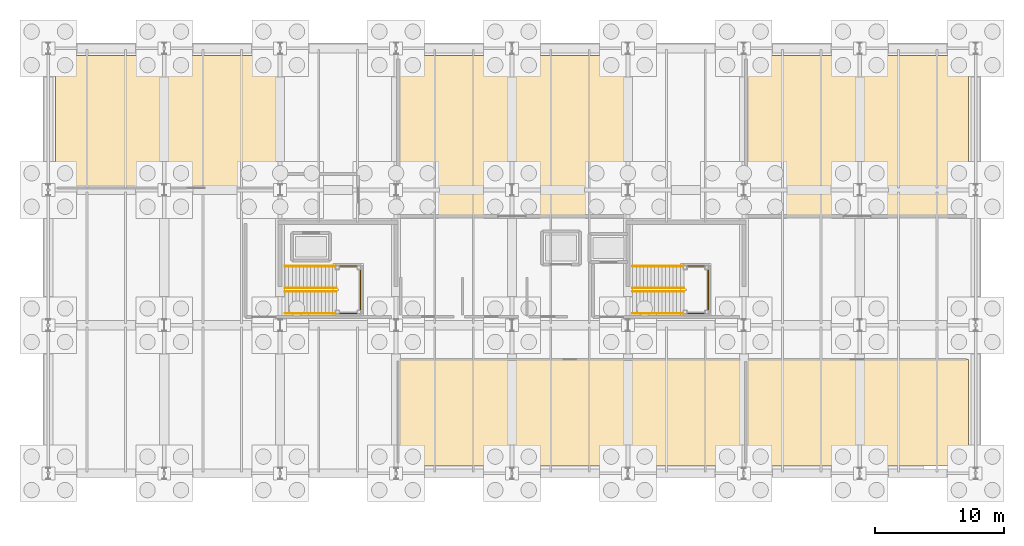
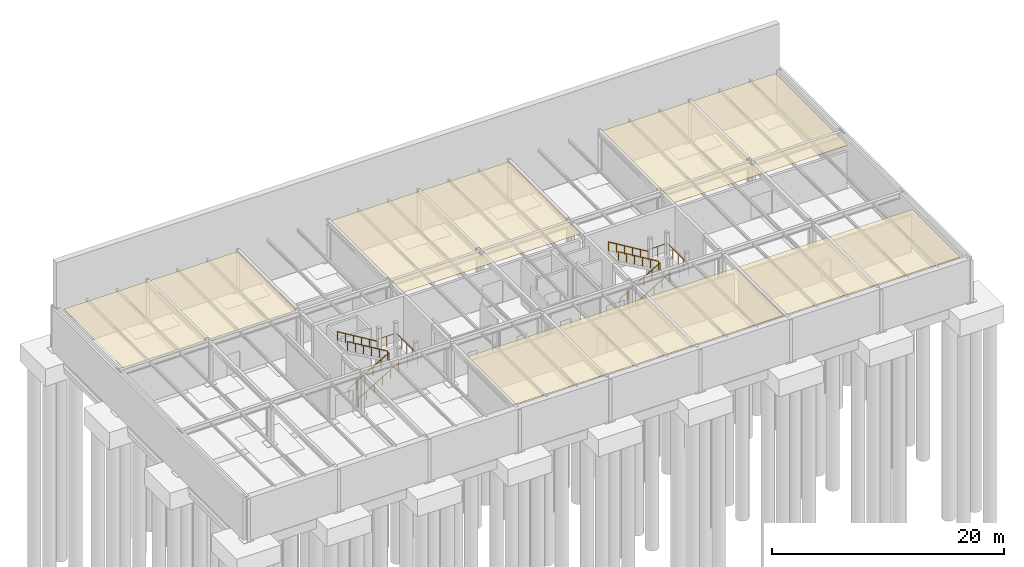
# One storey, part 18 of 19: 10 railings, 5 coverings.
"""IFC4 building model written with IfcOpenShell, lengths in metres."""

from ifc_helpers import new_model, si_unit, direction, frame, origin, origin_2d, place, context, subcontext, project, spatial, polyline, circle, outline, extrude, material, layer, layer_set, type_object, element, save


model = new_model("IFC4")

# Units and contexts
model_context = context("Model", 3, precision=1e-05, world=origin(), true_north=direction((0.0, 1.0)))
body_context = subcontext(model_context, "Body", "Model", "MODEL_VIEW")
ifc_project = project(units=[si_unit("LENGTHUNIT", "METRE"), si_unit("AREAUNIT", "SQUARE_METRE"), si_unit("VOLUMEUNIT", "CUBIC_METRE"), si_unit("PLANEANGLEUNIT", "RADIAN"), si_unit("MASSUNIT", "GRAM", prefix="KILO")], contexts=[model_context])

# Site, building, storey
site_placement = place(None, origin())
site = spatial("IfcSite", under=ifc_project, at=site_placement, CompositionType="ELEMENT")
building_placement = place(site_placement, origin())
building = spatial("IfcBuilding", under=site, at=building_placement, Name="Marlcrest Central Station", CompositionType="ELEMENT")
storey_placement = place(building_placement, frame((0.0, 0.0, -4.800048828125)))
storey = spatial("IfcBuildingStorey", under=building, at=storey_placement, Name="B1", CompositionType="ELEMENT", Elevation=-4.800048828125)

# Coverings
ifc_material_1 = material(Name="Perforated acoustic mineral-fibre ceiling")
ifc_layer = layer(ifc_material_1, 0.02490234375, Name="CV-CLG")
ifc_layer_set = layer_set([ifc_layer], Name="Perforated acoustic mineral-fibre ceiling")
covering_type = type_object("IfcCoveringType", Name="CV-CLG", PredefinedType="CEILING", material=ifc_layer_set)
covering_1_placement = place(storey_placement, frame((0.0, 0.0, 4.375)))
element("IfcCovering", 1, at=covering_1_placement, inside=storey, type_object=covering_type, Name="cov-clg-0001", PredefinedType="CEILING", context=body_context, shape_type="SweptSolid", body=[
    extrude(outline(polyline([(0.56005859375, 131.43994140625), (17.840087890625, 131.43994140625), (17.840087890625, 121.510009765625), (17.7900390625, 121.510009765625), (17.7900390625, 121.159912109375), (9.2099609375, 121.159912109375), (9.2099609375, 121.510009765625), (8.7900390625, 121.510009765625), (8.7900390625, 121.159912109375), (0.56005859375, 121.159912109375), (0.56005859375, 131.43994140625)])), origin(), (0.0, 0.0, 1.0), 0.025146484375),
])
covering_2_placement = place(storey_placement, frame((0.0, 0.0, 4.375)))
element("IfcCovering", 2, at=covering_2_placement, inside=storey, type_object=covering_type, Name="cov-clg-0002", PredefinedType="CEILING", context=body_context, shape_type="SweptSolid", body=[
    extrude(outline(polyline([(44.840087890625, 121.510009765625), (44.7900390625, 121.510009765625), (44.7900390625, 120.489990234375), (44.840087890625, 120.489990234375), (44.840087890625, 118.9599609375), (27.159912109375, 118.9599609375), (27.159912109375, 120.489990234375), (27.2099609375, 120.489990234375), (27.2099609375, 121.510009765625), (27.159912109375, 121.510009765625), (27.159912109375, 131.43994140625), (44.840087890625, 131.43994140625), (44.840087890625, 121.510009765625)]), holes=[polyline([(35.7900390625, 121.510009765625), (35.7900390625, 120.489990234375), (36.2099609375, 120.489990234375), (36.2099609375, 121.510009765625), (35.7900390625, 121.510009765625)])]), origin(), (0.0, 0.0, 1.0), 0.025146484375),
])
covering_3_placement = place(storey_placement, frame((0.0, 0.0, 4.375)))
element("IfcCovering", 3, at=covering_3_placement, inside=storey, type_object=covering_type, Name="cov-clg-0003", PredefinedType="CEILING", context=body_context, shape_type="SweptSolid", body=[
    extrude(outline(polyline([(71.43994140625, 131.43994140625), (71.43994140625, 118.9599609375), (54.159912109375, 118.9599609375), (54.159912109375, 120.489990234375), (54.2099609375, 120.489990234375), (54.2099609375, 121.510009765625), (54.159912109375, 121.510009765625), (54.159912109375, 131.43994140625), (71.43994140625, 131.43994140625)]), holes=[polyline([(63.2099609375, 121.510009765625), (62.7900390625, 121.510009765625), (62.7900390625, 120.489990234375), (63.2099609375, 120.489990234375), (63.2099609375, 121.510009765625)])]), origin(), (0.0, 0.0, 1.0), 0.025146484375),
])
covering_4_placement = place(storey_placement, frame((0.0, 0.0, 4.375)))
element("IfcCovering", 4, at=covering_4_placement, inside=storey, type_object=covering_type, Name="cov-clg-0004", PredefinedType="CEILING", context=body_context, shape_type="SweptSolid", body=[
    extrude(outline(polyline([(53.840087890625, 99.56005859375), (53.840087890625, 107.840087890625), (27.159912109375, 107.840087890625), (27.159912109375, 99.56005859375), (53.840087890625, 99.56005859375)])), origin(), (0.0, 0.0, 1.0), 0.025146484375),
])
covering_5_placement = place(storey_placement, frame((0.0, 0.0, 4.375)))
element("IfcCovering", 5, at=covering_5_placement, inside=storey, type_object=covering_type, Name="cov-clg-0005", PredefinedType="CEILING", context=body_context, shape_type="SweptSolid", body=[
    extrude(outline(polyline([(71.43994140625, 99.56005859375), (71.43994140625, 107.840087890625), (54.159912109375, 107.840087890625), (54.159912109375, 99.56005859375), (71.43994140625, 99.56005859375)])), origin(), (0.0, 0.0, 1.0), 0.025146484375),
])

# Railings
ifc_material_2 = material(Name="Stainless steel and laminated glass concourse balustrade", Category="steel")
railing_type_1 = type_object("IfcRailingType", Name="GR-02", PredefinedType="BALUSTRADE", material=ifc_material_2)
for number, where, name in (
    (6, (22.320068359375, 111.409912109375, 2.400146484375), "hr-B1-00230"),
    (7, (49.320068359375, 111.409912109375, 2.400146484375), "hr-B1-00235"),
):
    element("IfcRailing", number, at=place(storey_placement, frame(where)), inside=storey, type_object=railing_type_1, Name=name, PredefinedType="BALUSTRADE", context=body_context, shape_type="SweptSolid", body=[
        extrude(circle(Radius=0.02392578125, at=origin_2d()), frame((0.0, 0.0, 1.09619140625), z_axis=(1.0, 0.0, 0.0), x_axis=(0.0, 1.0, 0.0)), (0.0, 0.0, 1.0), 1.919921875),
        extrude(circle(Radius=0.02392578125, at=origin_2d()), frame((1.919921875, 0.0, 1.09619140625), z_axis=(0.0, 1.0, 0.0), x_axis=(-1.0, 0.0, 0.0)), (0.0, 0.0, 1.0), 3.68017578125),
        extrude(circle(Radius=0.02392578125, at=origin_2d()), frame((1.919921875, 3.68017578125, 1.09619140625), z_axis=(-1.0, 0.0, 0.0), x_axis=(0.0, -1.0, 0.0)), (0.0, 0.0, 1.0), 1.919921875),
        extrude(circle(Radius=0.02099609375, at=origin_2d()), origin(), (0.0, 0.0, 1.0), 1.072021484375),
        extrude(circle(Radius=0.02099609375, at=origin_2d()), frame((0.9599609375, 0.0, 0.0)), (0.0, 0.0, 1.0), 1.072021484375),
        extrude(circle(Radius=0.02099609375, at=origin_2d()), frame((1.919921875, 0.0, 0.0)), (0.0, 0.0, 1.0), 1.072021484375),
        extrude(circle(Radius=0.02099609375, at=origin_2d()), frame((1.919921875, 0.919921875, 0.0)), (0.0, 0.0, 1.0), 1.072021484375),
        extrude(circle(Radius=0.02099609375, at=origin_2d()), frame((1.919921875, 1.840087890625, 0.0)), (0.0, 0.0, 1.0), 1.072021484375),
        extrude(circle(Radius=0.02099609375, at=origin_2d()), frame((1.919921875, 2.76025390625, 0.0)), (0.0, 0.0, 1.0), 1.072021484375),
        extrude(circle(Radius=0.02099609375, at=origin_2d()), frame((1.919921875, 3.68017578125, 0.0)), (0.0, 0.0, 1.0), 1.072021484375),
        extrude(circle(Radius=0.02099609375, at=origin_2d()), frame((0.9599609375, 3.68017578125, 0.0)), (0.0, 0.0, 1.0), 1.072021484375),
        extrude(circle(Radius=0.02099609375, at=origin_2d()), frame((0.0, 3.68017578125, 0.0)), (0.0, 0.0, 1.0), 1.072021484375),
    ])
ifc_material_3 = material(Name="Brushed stainless steel handrail", Category="steel")
railing_type_2 = type_object("IfcRailingType", Name="HR-01", PredefinedType="HANDRAIL", material=ifc_material_3)
railing_1_placement = place(storey_placement, frame((18.3701171875, 111.419921875, 0.0)))
element("IfcRailing", 8, at=railing_1_placement, inside=storey, type_object=railing_type_2, Name="hr-B1-00226", PredefinedType="HANDRAIL", context=body_context, shape_type="SweptSolid", body=[
    extrude(circle(Radius=0.02392578125, at=origin_2d()), frame((0.0, 0.0, 0.89599609375), z_axis=(0.856909445827, 0.0, 0.515466974357), x_axis=(0.0, 1.0, 0.0)), (0.0, 0.0, 1.0), 4.65625),
    extrude(circle(Radius=0.02099609375, at=origin_2d()), origin(), (0.0, 0.0, 1.0), 0.871826171875),
    extrude(circle(Radius=0.02099609375, at=origin_2d()), frame((0.798095703125, 0.0, 0.47998046875)), (0.0, 0.0, 1.0), 0.871826171875),
    extrude(circle(Radius=0.02099609375, at=origin_2d()), frame((1.595947265625, 0.0, 0.9599609375)), (0.0, 0.0, 1.0), 0.871826171875),
    extrude(circle(Radius=0.02099609375, at=origin_2d()), frame((2.39404296875, 0.0, 1.440185546875)), (0.0, 0.0, 1.0), 0.871826171875),
    extrude(circle(Radius=0.02099609375, at=origin_2d()), frame((3.19189453125, 0.0, 1.920166015625)), (0.0, 0.0, 1.0), 0.871826171875),
    extrude(circle(Radius=0.02099609375, at=origin_2d()), frame((3.989990234375, 0.0, 2.400146484375)), (0.0, 0.0, 1.0), 0.871826171875),
])
railing_2_placement = place(storey_placement, frame((22.360107421875, 113.3798828125, 2.400146484375)))
element("IfcRailing", 9, at=railing_2_placement, inside=storey, type_object=railing_type_2, Name="hr-B1-00227", PredefinedType="HANDRAIL", context=body_context, shape_type="SweptSolid", body=[
    extrude(circle(Radius=0.02392578125, at=origin_2d()), frame((0.0, 0.0, 0.89599609375), z_axis=(-0.856932605607, 0.0, 0.515428471708), x_axis=(0.0, -1.0, 0.0)), (0.0, 0.0, 1.0), 4.65625),
    extrude(circle(Radius=0.02099609375, at=origin_2d()), origin(), (0.0, 0.0, 1.0), 0.871826171875),
    extrude(circle(Radius=0.02099609375, at=origin_2d()), frame((-0.798095703125, 0.0, 0.47998046875)), (0.0, 0.0, 1.0), 0.871826171875),
    extrude(circle(Radius=0.02099609375, at=origin_2d()), frame((-1.595947265625, 0.0, 0.9599609375)), (0.0, 0.0, 1.0), 0.871826171875),
    extrude(circle(Radius=0.02099609375, at=origin_2d()), frame((-2.39404296875, 0.0, 1.43994140625)), (0.0, 0.0, 1.0), 0.871826171875),
    extrude(circle(Radius=0.02099609375, at=origin_2d()), frame((-3.19189453125, 0.0, 1.919921875)), (0.0, 0.0, 1.0), 0.871826171875),
    extrude(circle(Radius=0.02099609375, at=origin_2d()), frame((-3.989990234375, 0.0, 2.39990234375)), (0.0, 0.0, 1.0), 0.871826171875),
])
railing_3_placement = place(storey_placement, frame((18.3701171875, 113.1201171875, 0.0)))
element("IfcRailing", 10, at=railing_3_placement, inside=storey, type_object=railing_type_2, Name="hr-B1-00228", PredefinedType="HANDRAIL", context=body_context, shape_type="SweptSolid", body=[
    extrude(circle(Radius=0.02392578125, at=origin_2d()), frame((0.0, 0.0, 0.89599609375), z_axis=(0.856909445827, 0.0, 0.515466974357), x_axis=(0.0, 1.0, 0.0)), (0.0, 0.0, 1.0), 4.65625),
    extrude(circle(Radius=0.02099609375, at=origin_2d()), origin(), (0.0, 0.0, 1.0), 0.871826171875),
    extrude(circle(Radius=0.02099609375, at=origin_2d()), frame((0.798095703125, 0.0, 0.47998046875)), (0.0, 0.0, 1.0), 0.871826171875),
    extrude(circle(Radius=0.02099609375, at=origin_2d()), frame((1.595947265625, 0.0, 0.9599609375)), (0.0, 0.0, 1.0), 0.871826171875),
    extrude(circle(Radius=0.02099609375, at=origin_2d()), frame((2.39404296875, 0.0, 1.440185546875)), (0.0, 0.0, 1.0), 0.871826171875),
    extrude(circle(Radius=0.02099609375, at=origin_2d()), frame((3.19189453125, 0.0, 1.920166015625)), (0.0, 0.0, 1.0), 0.871826171875),
    extrude(circle(Radius=0.02099609375, at=origin_2d()), frame((3.989990234375, 0.0, 2.400146484375)), (0.0, 0.0, 1.0), 0.871826171875),
])
railing_4_placement = place(storey_placement, frame((22.360107421875, 115.080078125, 2.400146484375)))
element("IfcRailing", 11, at=railing_4_placement, inside=storey, type_object=railing_type_2, Name="hr-B1-00229", PredefinedType="HANDRAIL", context=body_context, shape_type="SweptSolid", body=[
    extrude(circle(Radius=0.02392578125, at=origin_2d()), frame((0.0, 0.0, 0.89599609375), z_axis=(-0.856932605607, 0.0, 0.515428471708), x_axis=(0.0, -1.0, 0.0)), (0.0, 0.0, 1.0), 4.65625),
    extrude(circle(Radius=0.02099609375, at=origin_2d()), origin(), (0.0, 0.0, 1.0), 0.871826171875),
    extrude(circle(Radius=0.02099609375, at=origin_2d()), frame((-0.798095703125, 0.0, 0.47998046875)), (0.0, 0.0, 1.0), 0.871826171875),
    extrude(circle(Radius=0.02099609375, at=origin_2d()), frame((-1.595947265625, 0.0, 0.9599609375)), (0.0, 0.0, 1.0), 0.871826171875),
    extrude(circle(Radius=0.02099609375, at=origin_2d()), frame((-2.39404296875, 0.0, 1.43994140625)), (0.0, 0.0, 1.0), 0.871826171875),
    extrude(circle(Radius=0.02099609375, at=origin_2d()), frame((-3.19189453125, 0.0, 1.919921875)), (0.0, 0.0, 1.0), 0.871826171875),
    extrude(circle(Radius=0.02099609375, at=origin_2d()), frame((-3.989990234375, 0.0, 2.39990234375)), (0.0, 0.0, 1.0), 0.871826171875),
])
railing_5_placement = place(storey_placement, frame((45.3701171875, 111.419921875, 0.0)))
element("IfcRailing", 12, at=railing_5_placement, inside=storey, type_object=railing_type_2, Name="hr-B1-00231", PredefinedType="HANDRAIL", context=body_context, shape_type="SweptSolid", body=[
    extrude(circle(Radius=0.02392578125, at=origin_2d()), frame((0.0, 0.0, 0.89599609375), z_axis=(0.856909445827, 0.0, 0.515466974357), x_axis=(0.0, 1.0, 0.0)), (0.0, 0.0, 1.0), 4.65625),
    extrude(circle(Radius=0.02099609375, at=origin_2d()), origin(), (0.0, 0.0, 1.0), 0.871826171875),
    extrude(circle(Radius=0.02099609375, at=origin_2d()), frame((0.798095703125, 0.0, 0.47998046875)), (0.0, 0.0, 1.0), 0.871826171875),
    extrude(circle(Radius=0.02099609375, at=origin_2d()), frame((1.595947265625, 0.0, 0.9599609375)), (0.0, 0.0, 1.0), 0.871826171875),
    extrude(circle(Radius=0.02099609375, at=origin_2d()), frame((2.39404296875, 0.0, 1.440185546875)), (0.0, 0.0, 1.0), 0.871826171875),
    extrude(circle(Radius=0.02099609375, at=origin_2d()), frame((3.19189453125, 0.0, 1.920166015625)), (0.0, 0.0, 1.0), 0.871826171875),
    extrude(circle(Radius=0.02099609375, at=origin_2d()), frame((3.989990234375, 0.0, 2.400146484375)), (0.0, 0.0, 1.0), 0.871826171875),
])
railing_6_placement = place(storey_placement, frame((49.360107421875, 113.3798828125, 2.400146484375)))
element("IfcRailing", 13, at=railing_6_placement, inside=storey, type_object=railing_type_2, Name="hr-B1-00232", PredefinedType="HANDRAIL", context=body_context, shape_type="SweptSolid", body=[
    extrude(circle(Radius=0.02392578125, at=origin_2d()), frame((0.0, 0.0, 0.89599609375), z_axis=(-0.856932605607, 0.0, 0.515428471708), x_axis=(0.0, -1.0, 0.0)), (0.0, 0.0, 1.0), 4.65625),
    extrude(circle(Radius=0.02099609375, at=origin_2d()), origin(), (0.0, 0.0, 1.0), 0.871826171875),
    extrude(circle(Radius=0.02099609375, at=origin_2d()), frame((-0.798095703125, 0.0, 0.47998046875)), (0.0, 0.0, 1.0), 0.871826171875),
    extrude(circle(Radius=0.02099609375, at=origin_2d()), frame((-1.595947265625, 0.0, 0.9599609375)), (0.0, 0.0, 1.0), 0.871826171875),
    extrude(circle(Radius=0.02099609375, at=origin_2d()), frame((-2.39404296875, 0.0, 1.43994140625)), (0.0, 0.0, 1.0), 0.871826171875),
    extrude(circle(Radius=0.02099609375, at=origin_2d()), frame((-3.19189453125, 0.0, 1.919921875)), (0.0, 0.0, 1.0), 0.871826171875),
    extrude(circle(Radius=0.02099609375, at=origin_2d()), frame((-3.989990234375, 0.0, 2.39990234375)), (0.0, 0.0, 1.0), 0.871826171875),
])
railing_7_placement = place(storey_placement, frame((45.3701171875, 113.1201171875, 0.0)))
element("IfcRailing", 14, at=railing_7_placement, inside=storey, type_object=railing_type_2, Name="hr-B1-00233", PredefinedType="HANDRAIL", context=body_context, shape_type="SweptSolid", body=[
    extrude(circle(Radius=0.02392578125, at=origin_2d()), frame((0.0, 0.0, 0.89599609375), z_axis=(0.856909445827, 0.0, 0.515466974357), x_axis=(0.0, 1.0, 0.0)), (0.0, 0.0, 1.0), 4.65625),
    extrude(circle(Radius=0.02099609375, at=origin_2d()), origin(), (0.0, 0.0, 1.0), 0.871826171875),
    extrude(circle(Radius=0.02099609375, at=origin_2d()), frame((0.798095703125, 0.0, 0.47998046875)), (0.0, 0.0, 1.0), 0.871826171875),
    extrude(circle(Radius=0.02099609375, at=origin_2d()), frame((1.595947265625, 0.0, 0.9599609375)), (0.0, 0.0, 1.0), 0.871826171875),
    extrude(circle(Radius=0.02099609375, at=origin_2d()), frame((2.39404296875, 0.0, 1.440185546875)), (0.0, 0.0, 1.0), 0.871826171875),
    extrude(circle(Radius=0.02099609375, at=origin_2d()), frame((3.19189453125, 0.0, 1.920166015625)), (0.0, 0.0, 1.0), 0.871826171875),
    extrude(circle(Radius=0.02099609375, at=origin_2d()), frame((3.989990234375, 0.0, 2.400146484375)), (0.0, 0.0, 1.0), 0.871826171875),
])
railing_8_placement = place(storey_placement, frame((49.360107421875, 115.080078125, 2.400146484375)))
element("IfcRailing", 15, at=railing_8_placement, inside=storey, type_object=railing_type_2, Name="hr-B1-00234", PredefinedType="HANDRAIL", context=body_context, shape_type="SweptSolid", body=[
    extrude(circle(Radius=0.02392578125, at=origin_2d()), frame((0.0, 0.0, 0.89599609375), z_axis=(-0.856932605607, 0.0, 0.515428471708), x_axis=(0.0, -1.0, 0.0)), (0.0, 0.0, 1.0), 4.65625),
    extrude(circle(Radius=0.02099609375, at=origin_2d()), origin(), (0.0, 0.0, 1.0), 0.871826171875),
    extrude(circle(Radius=0.02099609375, at=origin_2d()), frame((-0.798095703125, 0.0, 0.47998046875)), (0.0, 0.0, 1.0), 0.871826171875),
    extrude(circle(Radius=0.02099609375, at=origin_2d()), frame((-1.595947265625, 0.0, 0.9599609375)), (0.0, 0.0, 1.0), 0.871826171875),
    extrude(circle(Radius=0.02099609375, at=origin_2d()), frame((-2.39404296875, 0.0, 1.43994140625)), (0.0, 0.0, 1.0), 0.871826171875),
    extrude(circle(Radius=0.02099609375, at=origin_2d()), frame((-3.19189453125, 0.0, 1.919921875)), (0.0, 0.0, 1.0), 0.871826171875),
    extrude(circle(Radius=0.02099609375, at=origin_2d()), frame((-3.989990234375, 0.0, 2.39990234375)), (0.0, 0.0, 1.0), 0.871826171875),
])

save(model, "model.ifc")
